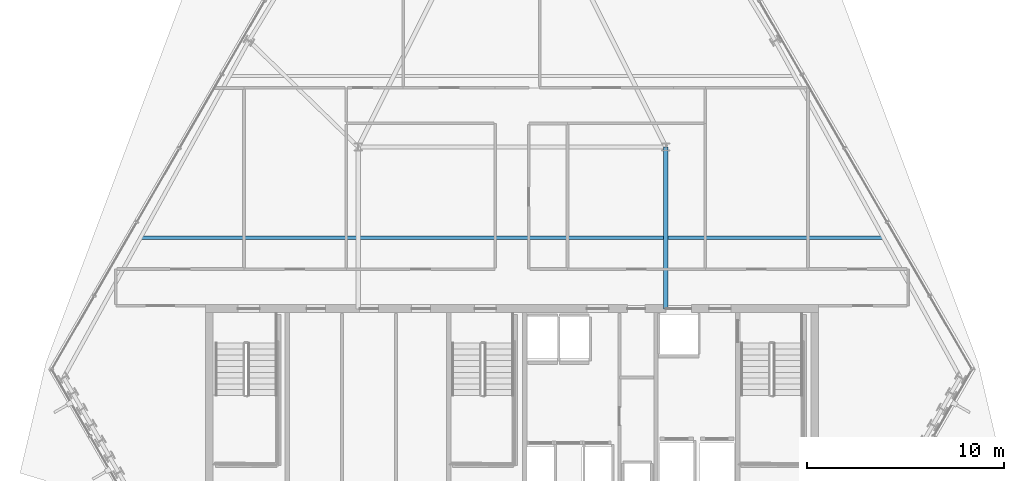
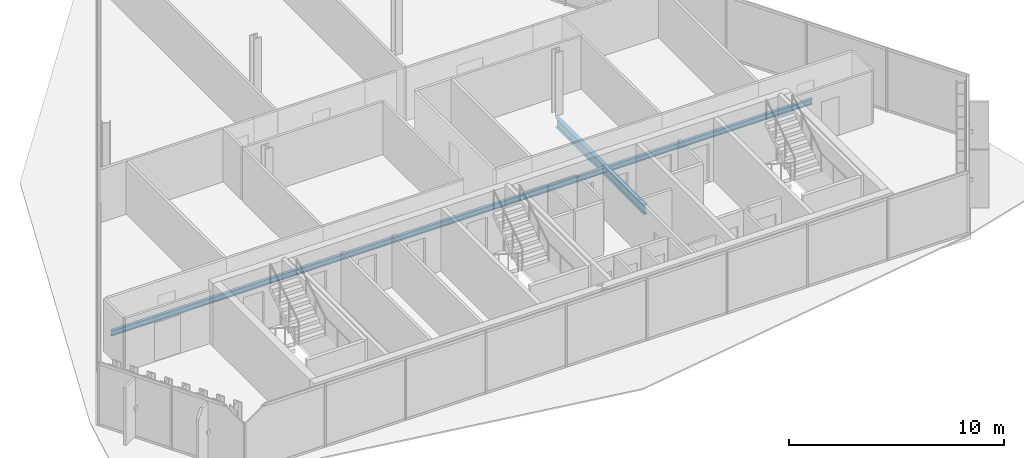
# One storey, part 9 of 37: 2 beams.
"""IFC4 building model written with IfcOpenShell, lengths in metres."""

from ifc_helpers import new_model, si_unit, direction, frame, origin, origin_2d, place, context, subcontext, project, spatial, i_section, extrude, material, material_profile, profile_set, type_object, element, save


model = new_model("IFC4")

# Units and contexts
model_context = context("Model", 3, precision=1e-05, world=origin(), true_north=direction((0.0, 1.0)))
body_context = subcontext(model_context, "Body", "Model", "MODEL_VIEW")
ifc_project = project(units=[si_unit("LENGTHUNIT", "METRE"), si_unit("AREAUNIT", "SQUARE_METRE"), si_unit("VOLUMEUNIT", "CUBIC_METRE"), si_unit("PLANEANGLEUNIT", "RADIAN"), si_unit("MASSUNIT", "GRAM", prefix="KILO")], contexts=[model_context])

# Site, building, storey
site_placement = place(None, origin())
site = spatial("IfcSite", under=ifc_project, at=site_placement, CompositionType="ELEMENT")
building_placement = place(site_placement, origin())
building = spatial("IfcBuilding", under=site, at=building_placement, Name="Ndaravel Arena Tower", CompositionType="ELEMENT")
storey_placement = place(building_placement, frame((0.0, 0.0, 218.0)))
storey = spatial("IfcBuildingStorey", under=building, at=storey_placement, Name="L52", CompositionType="ELEMENT", Elevation=218.0)

# Beams
ifc_material_1 = material(Name="Steel S355", Category="steel")
ifc_material_profile_1 = material_profile(ifc_material_1, i_section(OverallWidth=0.210693359375, OverallDepth=0.53955078125, WebThickness=0.01171875, FlangeThickness=0.018798828125, FilletRadius=0.0126953125, at=origin_2d()), Name="UB 533x210x109")
ifc_profile_set_1 = profile_set([ifc_material_profile_1], Name="Steel S355")
beam_type_1 = type_object("IfcBeamType", Name="BM-GIRD-UB533", PredefinedType="BEAM", material=ifc_profile_set_1)
beam_1_placement = place(storey_placement, frame((49.800048828125, 14.97998046875, -0.48974609375), z_axis=(0.0, 1.0, 0.0), x_axis=(-1.0, 0.0, 0.0)))
element("IfcBeam", 1, at=beam_1_placement, inside=storey, type_object=beam_type_1, Name="L52 Spine Link Girder SLG-02", PredefinedType="BEAM", context=body_context, shape_type="SweptSolid", body=[
    extrude(i_section(OverallWidth=0.210693359375, OverallDepth=0.53955078125, WebThickness=0.01171875, FlangeThickness=0.018798828125, FilletRadius=0.0126953125, at=origin_2d()), origin(), (0.0, 0.0, 1.0), 8.219970703125),
])
ifc_material_2 = material(Name="Steel S355", Category="steel")
ifc_material_profile_2 = material_profile(ifc_material_2, i_section(OverallWidth=0.165771484375, OverallDepth=0.306640625, WebThickness=0.006591796875, FlangeThickness=0.01171875, FilletRadius=0.0087890625, at=origin_2d()), Name="UB 305x165x46")
ifc_profile_set_2 = profile_set([ifc_material_profile_2], Name="Steel S355")
beam_type_2 = type_object("IfcBeamType", Name="BM-JOIST-UB305", PredefinedType="JOIST", material=ifc_profile_set_2)
beam_2_placement = place(storey_placement, frame((23.1640625, 18.60009765625, -0.373291015625), z_axis=(1.0, 0.0, 0.0), x_axis=(0.0, 1.0, 0.0)))
element("IfcBeam", 2, at=beam_2_placement, inside=storey, type_object=beam_type_2, Name="L52 Composite Floor Joist FJ-01", PredefinedType="JOIST", context=body_context, shape_type="SweptSolid", body=[
    extrude(i_section(OverallWidth=0.165771484375, OverallDepth=0.306640625, WebThickness=0.006591796875, FlangeThickness=0.01171875, FilletRadius=0.0087890625, at=origin_2d()), origin(), (0.0, 0.0, 1.0), 37.671875),
])

save(model, "model.ifc")
